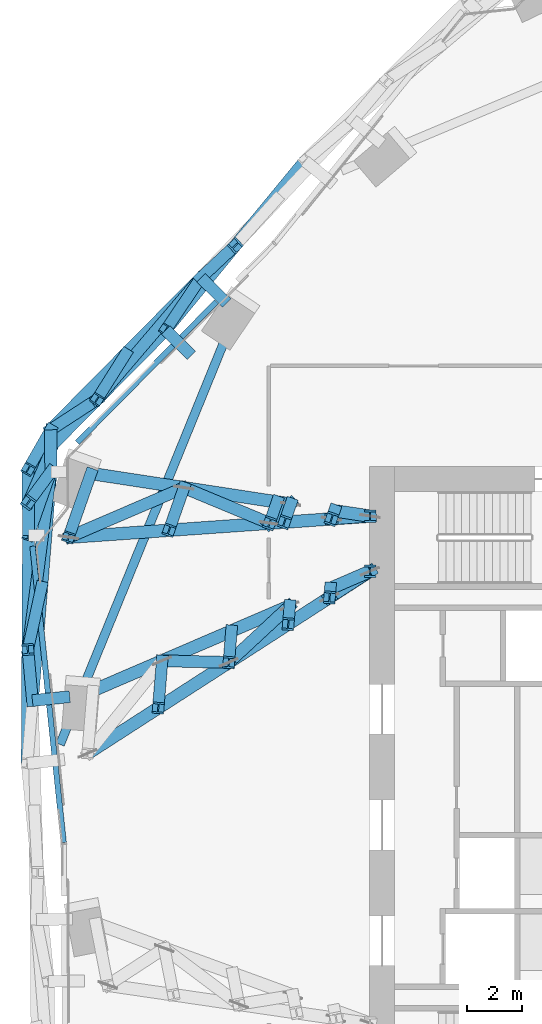
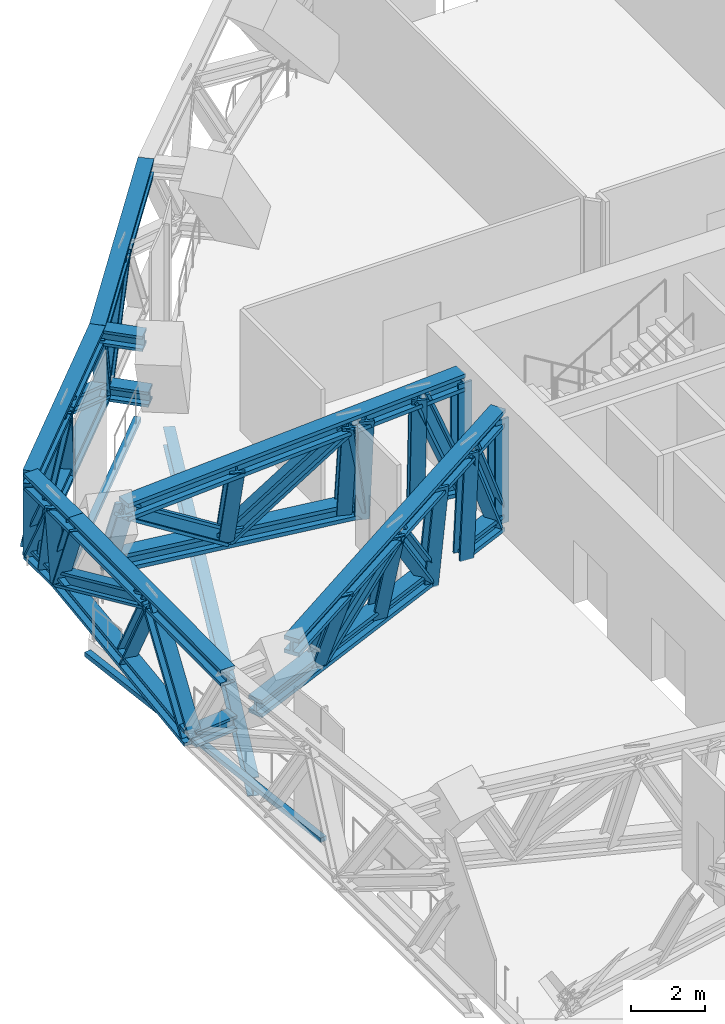
# One storey, part 9 of 27: 49 members, 1 beam, 2 elements without a shape of their own.
"""IFC4 building model written with IfcOpenShell, lengths in metres."""

from ifc_helpers import new_model, si_unit, direction, frame, origin, origin_2d, place, context, subcontext, project, spatial, rectangle, i_section, extrude, material, material_profile, profile_set, type_object, element, aggregate, save


model = new_model("IFC4")

# Units and contexts
model_context = context("Model", 3, precision=1e-05, world=origin(), true_north=direction((0.0, 1.0)))
body_context = subcontext(model_context, "Body", "Model", "MODEL_VIEW")
ifc_project = project(units=[si_unit("LENGTHUNIT", "METRE"), si_unit("AREAUNIT", "SQUARE_METRE"), si_unit("VOLUMEUNIT", "CUBIC_METRE"), si_unit("PLANEANGLEUNIT", "RADIAN"), si_unit("MASSUNIT", "GRAM", prefix="KILO")], contexts=[model_context])

# Site, building, storey
site_placement = place(None, origin())
site = spatial("IfcSite", under=ifc_project, at=site_placement, CompositionType="ELEMENT")
building_placement = place(site_placement, origin())
building = spatial("IfcBuilding", under=site, at=building_placement, Name="Orlundy Tower", CompositionType="ELEMENT")
storey_placement = place(building_placement, frame((0.0, 0.0, 206.10009765625)))
storey = spatial("IfcBuildingStorey", under=building, at=storey_placement, Name="L54", CompositionType="ELEMENT", Elevation=206.10009765625)

# Members
ifc_material_1 = material(Name="Steel ASTM A992 Gr 50", Category="steel")
ifc_material_profile_1 = material_profile(ifc_material_1, i_section(OverallWidth=0.4423828125, OverallDepth=0.531494140625, WebThickness=0.06591796875, FlangeThickness=0.105712890625, at=origin_2d()), Name="W14X605")
ifc_profile_set_1 = profile_set([ifc_material_profile_1], Name="Steel ASTM A992 Gr 50")
member_type_1 = type_object("IfcMemberType", Name="BELT TRUSS chord W14X605", PredefinedType="CHORD", material=ifc_profile_set_1)
member_1_placement = place(storey_placement, frame((-21.34130859375, 23.083251953125, 3.715087890625), z_axis=(-0.635889356959, -0.771780231482, 0.0), x_axis=(0.771780231482, -0.635889356959, 0.0)))
element("IfcMember", 1, at=member_1_placement, inside=storey, type_object=member_type_1, Name="Belt truss top chord BT-21A", PredefinedType="CHORD", context=body_context, shape_type="SweptSolid", body=[
    extrude(i_section(OverallWidth=0.4423828125, OverallDepth=0.531494140625, WebThickness=0.06591796875, FlangeThickness=0.105712890625, at=origin_2d()), origin(), (0.0, 0.0, 1.0), 7.94091796875),
])
member_2_placement = place(storey_placement, frame((-25.1123046875, 18.852294921875, 0.28466796875), z_axis=(-0.702971851644, -0.711217671179, 0.0), x_axis=(0.711217671179, -0.702971851644, 0.0)))
element("IfcMember", 2, at=member_2_placement, inside=storey, type_object=member_type_1, Name="Belt truss bottom chord BT-22A", PredefinedType="CHORD", context=body_context, shape_type="SweptSolid", body=[
    extrude(i_section(OverallWidth=0.4423828125, OverallDepth=0.531494140625, WebThickness=0.06591796875, FlangeThickness=0.105712890625, at=origin_2d()), origin(), (0.0, 0.0, 1.0), 7.75732421875),
])
member_3_placement = place(storey_placement, frame((-26.390869140625, 16.95458984375, 3.715087890625), z_axis=(-0.702969339922, -0.711220153771, 0.0), x_axis=(0.711220153771, -0.702969339922, 0.0)))
element("IfcMember", 3, at=member_3_placement, inside=storey, type_object=member_type_1, Name="Belt truss top chord BT-22A", PredefinedType="CHORD", context=body_context, shape_type="SweptSolid", body=[
    extrude(i_section(OverallWidth=0.4423828125, OverallDepth=0.531494140625, WebThickness=0.06591796875, FlangeThickness=0.105712890625, at=origin_2d()), origin(), (0.0, 0.0, 1.0), 7.1015625),
])
member_4_placement = place(storey_placement, frame((-30.5654296875, 13.335205078125, 0.28466796875), z_axis=(0.005918002571, -0.999982488469, 0.0), x_axis=(0.999982488469, 0.005918002571, 0.0)))
element("IfcMember", 4, at=member_4_placement, inside=storey, type_object=member_type_1, Name="Belt truss bottom chord BT-22B", PredefinedType="CHORD", context=body_context, shape_type="SweptSolid", body=[
    extrude(i_section(OverallWidth=0.4423828125, OverallDepth=0.531494140625, WebThickness=0.06591796875, FlangeThickness=0.105712890625, at=origin_2d()), origin(), (0.0, 0.0, 1.0), 1.5263671875),
])
member_5_placement = place(storey_placement, frame((-31.383056640625, 11.90380859375, 3.715087890625), z_axis=(0.005876291651, -0.999982734449, 0.0), x_axis=(0.999982734449, 0.005876291651, 0.0)))
element("IfcMember", 5, at=member_5_placement, inside=storey, type_object=member_type_1, Name="Belt truss top chord BT-22B", PredefinedType="CHORD", context=body_context, shape_type="SweptSolid", body=[
    extrude(i_section(OverallWidth=0.4423828125, OverallDepth=0.531494140625, WebThickness=0.06591796875, FlangeThickness=0.105712890625, at=origin_2d()), origin(), (0.0, 0.0, 1.0), 2.40966796875),
])
member_6_placement = place(storey_placement, frame((-30.556396484375, 11.808837890625, 0.28466796875), z_axis=(-0.080472541204, -0.996756825967, 0.0), x_axis=(0.996756825967, -0.080472541204, 0.0)))
element("IfcMember", 6, at=member_6_placement, inside=storey, type_object=member_type_1, Name="Belt truss bottom chord BT-23A", PredefinedType="CHORD", context=body_context, shape_type="SweptSolid", body=[
    extrude(i_section(OverallWidth=0.4423828125, OverallDepth=0.531494140625, WebThickness=0.06591796875, FlangeThickness=0.105712890625, at=origin_2d()), origin(), (0.0, 0.0, 1.0), 8.324951171875),
])
member_7_placement = place(storey_placement, frame((-31.368896484375, 9.494140625, 3.715087890625), z_axis=(-0.005406923474, -0.999985382482, 0.0), x_axis=(0.999985382482, -0.005406923474, 0.0)))
element("IfcMember", 7, at=member_7_placement, inside=storey, type_object=member_type_1, Name="Belt truss top chord BT-23A", PredefinedType="CHORD", context=body_context, shape_type="SweptSolid", body=[
    extrude(i_section(OverallWidth=0.4423828125, OverallDepth=0.531494140625, WebThickness=0.06591796875, FlangeThickness=0.105712890625, at=origin_2d()), origin(), (0.0, 0.0, 1.0), 8.262939453125),
])
ifc_material_2 = material(Name="Steel ASTM A992 Gr 50", Category="steel")
ifc_material_profile_2 = material_profile(ifc_material_2, i_section(OverallWidth=0.42431640625, OverallDepth=0.47412109375, WebThickness=0.0478515625, FlangeThickness=0.0771484375, at=origin_2d()), Name="W14X426")
ifc_profile_set_2 = profile_set([ifc_material_profile_2], Name="Steel ASTM A992 Gr 50")
member_type_2 = type_object("IfcMemberType", Name="BELT TRUSS diagonal W14X426", PredefinedType="BRACE", material=ifc_profile_set_2)
member_8_placement = place(storey_placement, frame((-23.8662109375, 20.018798828125, 3.715087890625), z_axis=(-0.325213844628, -0.304441957217, -0.895293834419), x_axis=(0.68340806954, -0.73003658161, 0.0)))
element("IfcMember", 8, at=member_8_placement, inside=storey, type_object=member_type_2, Name="Belt truss diagonal BT-21A-1", PredefinedType="BRACE", context=body_context, shape_type="SweptSolid", body=[
    extrude(i_section(OverallWidth=0.42431640625, OverallDepth=0.47412109375, WebThickness=0.0478515625, FlangeThickness=0.0771484375, at=origin_2d()), origin(), (0.0, 0.0, 1.0), 3.83154296875),
])
member_9_placement = place(storey_placement, frame((-25.1123046875, 18.852294921875, 0.28466796875), z_axis=(-0.559103708229, -0.655150500096, 0.508115012245), x_axis=(0.76066259599, -0.649147452481, 0.0)))
element("IfcMember", 9, at=member_9_placement, inside=storey, type_object=member_type_2, Name="Belt truss diagonal BT-22A-0", PredefinedType="BRACE", context=body_context, shape_type="SweptSolid", body=[
    extrude(i_section(OverallWidth=0.42431640625, OverallDepth=0.47412109375, WebThickness=0.0478515625, FlangeThickness=0.0771484375, at=origin_2d()), origin(), (0.0, 0.0, 1.0), 6.751220703125),
])
member_10_placement = place(storey_placement, frame((-28.886962890625, 14.42919921875, 3.715087890625), z_axis=(-0.422506828874, -0.275382269118, -0.863511774911), x_axis=(0.546037299876, -0.83776086513, 0.0)))
element("IfcMember", 10, at=member_10_placement, inside=storey, type_object=member_type_2, Name="Belt truss diagonal BT-22A-1", PredefinedType="BRACE", context=body_context, shape_type="SweptSolid", body=[
    extrude(i_section(OverallWidth=0.42431640625, OverallDepth=0.47412109375, WebThickness=0.0478515625, FlangeThickness=0.0771484375, at=origin_2d()), origin(), (0.0, 0.0, 1.0), 3.97265625),
])
member_11_placement = place(storey_placement, frame((-30.5654296875, 13.335205078125, 0.28466796875), z_axis=(-0.184146355827, -0.598919382596, 0.779349531845), x_axis=(0.955840234347, -0.293886791816, 0.0)))
element("IfcMember", 11, at=member_11_placement, inside=storey, type_object=member_type_2, Name="Belt truss diagonal BT-22B-0", PredefinedType="BRACE", context=body_context, shape_type="SweptSolid", body=[
    extrude(i_section(OverallWidth=0.42431640625, OverallDepth=0.47412109375, WebThickness=0.0478515625, FlangeThickness=0.0771484375, at=origin_2d()), origin(), (0.0, 0.0, 1.0), 4.401611328125),
])
member_12_placement = place(storey_placement, frame((-31.3759765625, 10.698974609375, 3.715087890625), z_axis=(0.221659660478, 0.300168250382, -0.927774765975), x_axis=(-0.804437169763, 0.594037742828, 0.0)))
element("IfcMember", 12, at=member_12_placement, inside=storey, type_object=member_type_2, Name="Belt truss diagonal BT-22B-1", PredefinedType="BRACE", context=body_context, shape_type="SweptSolid", body=[
    extrude(i_section(OverallWidth=0.42431640625, OverallDepth=0.47412109375, WebThickness=0.0478515625, FlangeThickness=0.0771484375, at=origin_2d()), origin(), (0.0, 0.0, 1.0), 3.697509765625),
])
member_13_placement = place(storey_placement, frame((-30.556396484375, 11.808837890625, 0.28466796875), z_axis=(-0.113570405551, -0.877073117338, 0.466738159813), x_axis=(0.991720409042, -0.128415849058, 0.0)))
element("IfcMember", 13, at=member_13_placement, inside=storey, type_object=member_type_2, Name="Belt truss diagonal BT-23A-0", PredefinedType="BRACE", context=body_context, shape_type="SweptSolid", body=[
    extrude(i_section(OverallWidth=0.42431640625, OverallDepth=0.47412109375, WebThickness=0.0478515625, FlangeThickness=0.0771484375, at=origin_2d()), origin(), (0.0, 0.0, 1.0), 7.349853515625),
])
member_14_placement = place(storey_placement, frame((-31.39111328125, 5.362548828125, 3.715087890625), z_axis=(0.042236754171, -0.474553397973, -0.879212789414), x_axis=(0.996062595766, 0.08865272312, 0.0)))
element("IfcMember", 14, at=member_14_placement, inside=storey, type_object=member_type_2, Name="Belt truss diagonal BT-23A-1", PredefinedType="BRACE", context=body_context, shape_type="SweptSolid", body=[
    extrude(i_section(OverallWidth=0.42431640625, OverallDepth=0.47412109375, WebThickness=0.0478515625, FlangeThickness=0.0771484375, at=origin_2d()), origin(), (0.0, 0.0, 1.0), 3.901611328125),
])
ifc_material_3 = material(Name="Steel ASTM A992 Gr 50", Category="steel")
ifc_material_profile_3 = material_profile(ifc_material_3, i_section(OverallWidth=0.412109375, OverallDepth=0.434814453125, WebThickness=0.035888671875, FlangeThickness=0.057373046875, at=origin_2d()), Name="W14X311")
ifc_profile_set_3 = profile_set([ifc_material_profile_3], Name="Steel ASTM A992 Gr 50")
member_type_3 = type_object("IfcMemberType", Name="BELT TRUSS post W14X311", PredefinedType="POST", material=ifc_profile_set_3)
member_15_placement = place(storey_placement, frame((-25.1123046875, 18.852294921875, 0.28466796875), z_axis=(-0.310062845352, -0.460209756906, 0.831906251678), x_axis=(0.829331991672, -0.55875616112, 0.0)))
element("IfcMember", 15, at=member_15_placement, inside=storey, type_object=member_type_3, Name="Belt truss post BT-21A-2", PredefinedType="POST", context=body_context, shape_type="SweptSolid", body=[
    extrude(i_section(OverallWidth=0.412109375, OverallDepth=0.434814453125, WebThickness=0.035888671875, FlangeThickness=0.057373046875, at=origin_2d()), origin(), (0.0, 0.0, 1.0), 4.12353515625),
])
member_16_placement = place(storey_placement, frame((-27.8388671875, 16.09375, 0.28466796875), z_axis=(-0.265047686413, -0.420939931508, 0.867501756764), x_axis=(0.846222476614, -0.532829728968, 0.0)))
element("IfcMember", 16, at=member_16_placement, inside=storey, type_object=member_type_3, Name="Belt truss post BT-22A-1", PredefinedType="POST", context=body_context, shape_type="SweptSolid", body=[
    extrude(i_section(OverallWidth=0.412109375, OverallDepth=0.434814453125, WebThickness=0.035888671875, FlangeThickness=0.057373046875, at=origin_2d()), origin(), (0.0, 0.0, 1.0), 3.954345703125),
])
member_17_placement = place(storey_placement, frame((-30.5654296875, 13.335205078125, 0.28466796875), z_axis=(-0.214829092046, -0.37609524236, 0.901332807505), x_axis=(0.868325156277, -0.495995386043, 0.0)))
element("IfcMember", 17, at=member_17_placement, inside=storey, type_object=member_type_3, Name="Belt truss post BT-22A-2", PredefinedType="POST", context=body_context, shape_type="SweptSolid", body=[
    extrude(i_section(OverallWidth=0.412109375, OverallDepth=0.434814453125, WebThickness=0.035888671875, FlangeThickness=0.057373046875, at=origin_2d()), origin(), (0.0, 0.0, 1.0), 3.805908203125),
])
member_18_placement = place(storey_placement, frame((-30.560791015625, 12.572021484375, 0.28466796875), z_axis=(-0.204175657659, -0.469133167283, 0.859201008015), x_axis=(0.916923687659, -0.399062590341, 0.0)))
element("IfcMember", 18, at=member_18_placement, inside=storey, type_object=member_type_3, Name="Belt truss post BT-22B-1", PredefinedType="POST", context=body_context, shape_type="SweptSolid", body=[
    extrude(i_section(OverallWidth=0.412109375, OverallDepth=0.434814453125, WebThickness=0.035888671875, FlangeThickness=0.057373046875, at=origin_2d()), origin(), (0.0, 0.0, 1.0), 3.99267578125),
])
member_19_placement = place(storey_placement, frame((-30.556396484375, 11.808837890625, 0.28466796875), z_axis=(-0.192658045212, -0.548855446711, 0.813412918652), x_axis=(0.94355851902, -0.331205859224, 0.0)))
element("IfcMember", 19, at=member_19_placement, inside=storey, type_object=member_type_3, Name="Belt truss post BT-22B-2", PredefinedType="POST", context=body_context, shape_type="SweptSolid", body=[
    extrude(i_section(OverallWidth=0.412109375, OverallDepth=0.434814453125, WebThickness=0.035888671875, FlangeThickness=0.057373046875, at=origin_2d()), origin(), (0.0, 0.0, 1.0), 4.21728515625),
])
member_20_placement = place(storey_placement, frame((-30.891357421875, 7.659912109375, 0.28466796875), z_axis=(-0.120168987919, -0.552413373873, 0.824862945409), x_axis=(0.977147301693, -0.212563286564, 0.0)))
element("IfcMember", 20, at=member_20_placement, inside=storey, type_object=member_type_3, Name="Belt truss post BT-23A-1", PredefinedType="POST", context=body_context, shape_type="SweptSolid", body=[
    extrude(i_section(OverallWidth=0.412109375, OverallDepth=0.434814453125, WebThickness=0.035888671875, FlangeThickness=0.057373046875, at=origin_2d()), origin(), (0.0, 0.0, 1.0), 4.15869140625),
])
ifc_material_4 = material(Name="Steel ASTM A992 Gr 50", Category="steel")
ifc_material_profile_4 = material_profile(ifc_material_4, i_section(OverallWidth=0.43212890625, OverallDepth=0.497802734375, WebThickness=0.0556640625, FlangeThickness=0.0888671875, at=origin_2d()), Name="W14X500")
ifc_profile_set_4 = profile_set([ifc_material_profile_4], Name="Steel ASTM A992 Gr 50")
member_type_4 = type_object("IfcMemberType", Name="BELT TRUSS strut W14X500", PredefinedType="STRUT", material=ifc_profile_set_4)
for number, where, z_axis, x_axis, name in (
    (21, (-24.180419921875, 17.930908203125, 0.28466796875), (-0.71110085154, 0.703090021931, 0.0), (-0.703090021931, -0.71110085154, 0.0), "Belt truss bracket C-H20"),
    (22, (-25.458984375, 16.033203125, 3.715087890625), (-0.71110085154, 0.703090021931, 0.0), (-0.703090021931, -0.71110085154, 0.0), "Belt truss bracket C-H20"),
):
    element("IfcMember", number, at=place(storey_placement, frame(where, z_axis=z_axis, x_axis=x_axis)), inside=storey, type_object=member_type_4, Name=name, PredefinedType="STRUT", context=body_context, shape_type="SweptSolid", body=[
        extrude(i_section(OverallWidth=0.43212890625, OverallDepth=0.497802734375, WebThickness=0.0556640625, FlangeThickness=0.0888671875, at=origin_2d()), origin(), (0.0, 0.0, 1.0), 1.310546875),
    ])
member_21_placement = place(storey_placement, frame((-29.87353515625, 3.653076171875, 0.28466796875), z_axis=(-0.994529031212, -0.104460547945, 0.0), x_axis=(0.104460547945, -0.994529031212, 0.0)))
element("IfcMember", 23, at=member_21_placement, inside=storey, type_object=member_type_4, Name="Belt truss bracket C-H18", PredefinedType="STRUT", context=body_context, shape_type="SweptSolid", body=[
    extrude(i_section(OverallWidth=0.43212890625, OverallDepth=0.497802734375, WebThickness=0.0556640625, FlangeThickness=0.0888671875, at=origin_2d()), origin(), (0.0, 0.0, 1.0), 1.360107421875),
])

# Beam
ifc_material_5 = material(Name="Steel ASTM A992 Gr 50", Category="steel")
ifc_material_profile_5 = material_profile(ifc_material_5, i_section(OverallWidth=0.32373046875, OverallDepth=0.611083984375, WebThickness=0.0126953125, FlangeThickness=0.01904296875, at=origin_2d()), Name="W24X104")
ifc_profile_set_5 = profile_set([ifc_material_profile_5], Name="Steel ASTM A992 Gr 50")
beam_type = type_object("IfcBeamType", Name="CANTILEVER GIRDER beam W24X104", PredefinedType="BEAM", material=ifc_profile_set_5)
beam_placement = place(storey_placement, frame((-30.22509765625, 1.919189453125, -0.755615234375), z_axis=(0.377292228943, 0.92609425761, 0.0), x_axis=(-0.92609425761, 0.377292228943, 0.0)))
element("IfcBeam", 24, at=beam_placement, inside=storey, type_object=beam_type, Name="Cantilever girder C-H18 L54", PredefinedType="BEAM", context=body_context, shape_type="SweptSolid", body=[
    extrude(i_section(OverallWidth=0.32373046875, OverallDepth=0.611083984375, WebThickness=0.0126953125, FlangeThickness=0.01904296875, at=origin_2d()), origin(), (0.0, 0.0, 1.0), 16.647705078125),
])

# Curtain wall, member
ifc_material_6 = material(Name="Aluminium bronze anodised", Category="aluminium")
curtain_wall_type = type_object("IfcCurtainWallType", Name="CW4 wall", PredefinedType="NOTDEFINED", material=ifc_material_6)
curtain_wall_1_placement = place(storey_placement, origin())
curtain_wall_1 = element("IfcCurtainWall", 25, at=curtain_wall_1_placement, inside=storey, type_object=curtain_wall_type, Name="CW4 run 04", PredefinedType="NOTDEFINED")
ifc_material_7 = material(Name="Aluminium bronze anodised", Category="aluminium")
ifc_material_profile_6 = material_profile(ifc_material_7, rectangle(XDim=0.199951171875, YDim=0.14990234375, at=origin_2d()), Name="CW4 transom 200x150")
ifc_profile_set_6 = profile_set([ifc_material_profile_6], Name="Aluminium bronze anodised")
member_type_5 = type_object("IfcMemberType", Name="CW4 transom 200x150", PredefinedType="USERDEFINED", material=ifc_profile_set_6)
member_22_placement = place(storey_placement, frame((-30.093994140625, -1.638671875, -0.375), z_axis=(-0.104544881685, 0.994520169586, 0.0), x_axis=(-0.994520169586, -0.104544881685, 0.0)))
member_22 = element("IfcMember", 26, at=member_22_placement, type_object=member_type_5, Name="CW4 transom", ObjectType="TRANSOM", PredefinedType="USERDEFINED", context=body_context, shape_type="SweptSolid", body=[
    extrude(rectangle(XDim=0.199951171875, YDim=0.14990234375, at=origin_2d()), origin(), (0.0, 0.0, 1.0), 10.81005859375),
])
aggregate(curtain_wall_1, [member_22])

curtain_wall_2_placement = place(storey_placement, origin())
curtain_wall_2 = element("IfcCurtainWall", 27, at=curtain_wall_2_placement, inside=storey, type_object=curtain_wall_type, Name="CW4 run 07", PredefinedType="NOTDEFINED")
member_23_placement = place(storey_placement, frame((-29.601318359375, 12.870361328125, -0.375), z_axis=(0.702966029779, 0.711223425498, 0.0), x_axis=(-0.711223425498, 0.702966029779, 0.0)))
member_23 = element("IfcMember", 28, at=member_23_placement, type_object=member_type_5, Name="CW4 transom", ObjectType="TRANSOM", PredefinedType="USERDEFINED", context=body_context, shape_type="SweptSolid", body=[
    extrude(rectangle(XDim=0.199951171875, YDim=0.14990234375, at=origin_2d()), origin(), (0.0, 0.0, 1.0), 7.1845703125),
])
aggregate(curtain_wall_2, [member_23])

# Members
ifc_material_8 = material(Name="Steel ASTM A992 Gr 50", Category="steel")
ifc_material_profile_7 = material_profile(ifc_material_8, i_section(OverallWidth=0.454345703125, OverallDepth=0.569580078125, WebThickness=0.077880859375, FlangeThickness=0.124755859375, at=origin_2d()), Name="W14X730")
ifc_profile_set_7 = profile_set([ifc_material_profile_7], Name="Steel ASTM A992 Gr 50")
member_type_6 = type_object("IfcMemberType", Name="OUTRIGGER TRUSS chord W14X730", PredefinedType="CHORD", material=ifc_profile_set_7)
member_24_placement = place(storey_placement, frame((-18.97998046875, 8.199951171875, 0.28466796875), z_axis=(-0.918556850679, -0.395288896974, 0.0), x_axis=(0.395288896974, -0.918556850679, 0.0)))
element("IfcMember", 29, at=member_24_placement, inside=storey, type_object=member_type_6, Name="Outrigger truss bottom chord OR-W-C-H18", PredefinedType="CHORD", context=body_context, shape_type="SweptSolid", body=[
    extrude(i_section(OverallWidth=0.454345703125, OverallDepth=0.569580078125, WebThickness=0.077880859375, FlangeThickness=0.124755859375, at=origin_2d()), origin(), (0.0, 0.0, 1.0), 1.570068359375),
])
member_25_placement = place(storey_placement, frame((-21.891845703125, 6.94677734375, 0.28466796875), z_axis=(-0.918531879867, -0.395346918121, 0.0), x_axis=(0.395346918121, -0.918531879867, 0.0)))
element("IfcMember", 30, at=member_25_placement, inside=storey, type_object=member_type_6, Name="Outrigger truss bottom chord OR-W-C-H182", PredefinedType="CHORD", context=body_context, shape_type="SweptSolid", body=[
    extrude(i_section(OverallWidth=0.454345703125, OverallDepth=0.569580078125, WebThickness=0.077880859375, FlangeThickness=0.124755859375, at=origin_2d()), origin(), (0.0, 0.0, 1.0), 7.778564453125),
])
member_26_placement = place(storey_placement, frame((-18.97998046875, 8.199951171875, 3.715087890625), z_axis=(-0.840336083063, -0.542065740942, 0.0), x_axis=(0.542065740942, -0.840336083063, 0.0)))
element("IfcMember", 31, at=member_26_placement, inside=storey, type_object=member_type_6, Name="Outrigger truss top chord OR-W-C-H18", PredefinedType="CHORD", context=body_context, shape_type="SweptSolid", body=[
    extrude(i_section(OverallWidth=0.454345703125, OverallDepth=0.569580078125, WebThickness=0.077880859375, FlangeThickness=0.124755859375, at=origin_2d()), origin(), (0.0, 0.0, 1.0), 12.190185546875),
])
member_27_placement = place(storey_placement, frame((-18.97998046875, 10.199951171875, 0.28466796875), z_axis=(-0.988494276267, 0.151258275104, 0.0), x_axis=(-0.151258275104, -0.988494276267, 0.0)))
element("IfcMember", 32, at=member_27_placement, inside=storey, type_object=member_type_6, Name="Outrigger truss bottom chord OR-W-C-H19", PredefinedType="CHORD", context=body_context, shape_type="SweptSolid", body=[
    extrude(i_section(OverallWidth=0.454345703125, OverallDepth=0.569580078125, WebThickness=0.077880859375, FlangeThickness=0.124755859375, at=origin_2d()), origin(), (0.0, 0.0, 1.0), 1.30908203125),
])
member_28_placement = place(storey_placement, frame((-21.855712890625, 10.639892578125, 0.28466796875), z_axis=(-0.988502185485, 0.151206578199, 0.0), x_axis=(-0.151206578199, -0.988502185485, 0.0)))
element("IfcMember", 33, at=member_28_placement, inside=storey, type_object=member_type_6, Name="Outrigger truss bottom chord OR-W-C-H192", PredefinedType="CHORD", context=body_context, shape_type="SweptSolid", body=[
    extrude(i_section(OverallWidth=0.454345703125, OverallDepth=0.569580078125, WebThickness=0.077880859375, FlangeThickness=0.124755859375, at=origin_2d()), origin(), (0.0, 0.0, 1.0), 7.33349609375),
])
member_29_placement = place(storey_placement, frame((-18.97998046875, 10.199951171875, 3.715087890625), z_axis=(-0.997555863996, -0.069873444224, 0.0), x_axis=(0.069873444224, -0.997555863996, 0.0)))
element("IfcMember", 34, at=member_29_placement, inside=storey, type_object=member_type_6, Name="Outrigger truss top chord OR-W-C-H19", PredefinedType="CHORD", context=body_context, shape_type="SweptSolid", body=[
    extrude(i_section(OverallWidth=0.454345703125, OverallDepth=0.569580078125, WebThickness=0.077880859375, FlangeThickness=0.124755859375, at=origin_2d()), origin(), (0.0, 0.0, 1.0), 10.96435546875),
])
ifc_material_9 = material(Name="Steel ASTM A992 Gr 50", Category="steel")
ifc_material_profile_8 = material_profile(ifc_material_9, i_section(OverallWidth=0.43212890625, OverallDepth=0.497802734375, WebThickness=0.0556640625, FlangeThickness=0.0888671875, at=origin_2d()), Name="W14X500")
ifc_profile_set_8 = profile_set([ifc_material_profile_8], Name="Steel ASTM A992 Gr 50")
member_type_7 = type_object("IfcMemberType", Name="OUTRIGGER TRUSS diagonal W14X500", PredefinedType="BRACE", material=ifc_profile_set_8)
member_30_placement = place(storey_placement, frame((-18.97998046875, 8.199951171875, 0.28466796875), z_axis=(-0.381544057384, -0.246098136398, 0.890988125362), x_axis=(0.54203461261, -0.840356161834, 0.0)))
element("IfcMember", 35, at=member_30_placement, inside=storey, type_object=member_type_7, Name="Outrigger truss diagonal OR-W-C-H18-0", PredefinedType="BRACE", context=body_context, shape_type="SweptSolid", body=[
    extrude(i_section(OverallWidth=0.43212890625, OverallDepth=0.497802734375, WebThickness=0.0556640625, FlangeThickness=0.0888671875, at=origin_2d()), origin(), (0.0, 0.0, 1.0), 3.85009765625),
])
member_31_placement = place(storey_placement, frame((-21.891845703125, 6.94677734375, 0.28466796875), z_axis=(-0.483898625131, -0.449044238964, 0.751133404962), x_axis=(0.680215007713, -0.733012648787, 0.0)))
element("IfcMember", 36, at=member_31_placement, inside=storey, type_object=member_type_7, Name="Outrigger truss diagonal OR-W-C-H18-2", PredefinedType="BRACE", context=body_context, shape_type="SweptSolid", body=[
    extrude(i_section(OverallWidth=0.43212890625, OverallDepth=0.497802734375, WebThickness=0.0556640625, FlangeThickness=0.0888671875, at=origin_2d()), origin(), (0.0, 0.0, 1.0), 4.56689453125),
])
member_32_placement = place(storey_placement, frame((-24.101806640625, 4.89599609375, 3.715087890625), z_axis=(-0.576498314691, 0.013780141259, -0.816982130077), x_axis=(-0.023896351247, -0.999714441427, 0.0)))
element("IfcMember", 37, at=member_32_placement, inside=storey, type_object=member_type_7, Name="Outrigger truss diagonal OR-W-C-H18-3", PredefinedType="BRACE", context=body_context, shape_type="SweptSolid", body=[
    extrude(i_section(OverallWidth=0.43212890625, OverallDepth=0.497802734375, WebThickness=0.0556640625, FlangeThickness=0.0888671875, at=origin_2d()), origin(), (0.0, 0.0, 1.0), 4.198974609375),
])
member_33_placement = place(storey_placement, frame((-18.97998046875, 10.199951171875, 0.28466796875), z_axis=(-0.37719448325, -0.026420085202, 0.925757150069), x_axis=(0.069872476618, -0.997555931771, 0.0)))
element("IfcMember", 38, at=member_33_placement, inside=storey, type_object=member_type_7, Name="Outrigger truss diagonal OR-W-C-H19-0", PredefinedType="BRACE", context=body_context, shape_type="SweptSolid", body=[
    extrude(i_section(OverallWidth=0.43212890625, OverallDepth=0.497802734375, WebThickness=0.0556640625, FlangeThickness=0.0888671875, at=origin_2d()), origin(), (0.0, 0.0, 1.0), 3.70556640625),
])
member_34_placement = place(storey_placement, frame((-21.855712890625, 10.639892578125, 0.28466796875), z_axis=(-0.21485660639, -0.19401129201, 0.957181412932), x_axis=(0.670185921379, -0.742193257033, 0.0)))
element("IfcMember", 39, at=member_34_placement, inside=storey, type_object=member_type_7, Name="Outrigger truss diagonal OR-W-C-H19-2", PredefinedType="BRACE", context=body_context, shape_type="SweptSolid", body=[
    extrude(i_section(OverallWidth=0.43212890625, OverallDepth=0.497802734375, WebThickness=0.0556640625, FlangeThickness=0.0888671875, at=origin_2d()), origin(), (0.0, 0.0, 1.0), 3.583984375),
])
member_35_placement = place(storey_placement, frame((-22.625732421875, 9.944580078125, 3.715087890625), z_axis=(-0.646400365526, 0.268168456795, -0.714319428707), x_axis=(-0.383196440625, -0.923666870626, 0.0)))
element("IfcMember", 40, at=member_35_placement, inside=storey, type_object=member_type_7, Name="Outrigger truss diagonal OR-W-C-H19-3", PredefinedType="BRACE", context=body_context, shape_type="SweptSolid", body=[
    extrude(i_section(OverallWidth=0.43212890625, OverallDepth=0.497802734375, WebThickness=0.0556640625, FlangeThickness=0.0888671875, at=origin_2d()), origin(), (0.0, 0.0, 1.0), 4.80224609375),
])
member_36_placement = place(storey_placement, frame((-25.72998046875, 11.232421875, 0.28466796875), z_axis=(-0.734108834966, -0.315308989459, 0.6013854501), x_axis=(0.394649757307, -0.918831632595, 0.0)))
element("IfcMember", 41, at=member_36_placement, inside=storey, type_object=member_type_7, Name="Outrigger truss diagonal OR-W-C-H19-4", PredefinedType="BRACE", context=body_context, shape_type="SweptSolid", body=[
    extrude(i_section(OverallWidth=0.43212890625, OverallDepth=0.497802734375, WebThickness=0.0556640625, FlangeThickness=0.0888671875, at=origin_2d()), origin(), (0.0, 0.0, 1.0), 5.7041015625),
])
ifc_material_10 = material(Name="Steel ASTM A992 Gr 50", Category="steel")
ifc_material_profile_9 = material_profile(ifc_material_10, i_section(OverallWidth=0.41845703125, OverallDepth=0.455078125, WebThickness=0.0419921875, FlangeThickness=0.067626953125, at=origin_2d()), Name="W14X370")
ifc_profile_set_9 = profile_set([ifc_material_profile_9], Name="Steel ASTM A992 Gr 50")
member_type_8 = type_object("IfcMemberType", Name="OUTRIGGER TRUSS post W14X370", PredefinedType="POST", material=ifc_profile_set_9)
member_37_placement = place(storey_placement, frame((-18.97998046875, 8.199951171875, 0.28466796875), z_axis=(0.0, 0.0, 1.0), x_axis=(1.0, 0.0, 0.0)))
element("IfcMember", 42, at=member_37_placement, inside=storey, type_object=member_type_8, Name="Outrigger truss post OR-W-C-H18-0", PredefinedType="POST", context=body_context, shape_type="SweptSolid", body=[
    extrude(i_section(OverallWidth=0.41845703125, OverallDepth=0.455078125, WebThickness=0.0419921875, FlangeThickness=0.067626953125, at=origin_2d()), origin(), (0.0, 0.0, 1.0), 3.430419921875),
])
member_38_placement = place(storey_placement, frame((-20.422119140625, 7.579345703125, 0.0), z_axis=(-0.007200746363, -0.087652721632, 0.996125067269), x_axis=(0.996642602382, -0.081875045752, 0.0)))
element("IfcMember", 43, at=member_38_placement, inside=storey, type_object=member_type_8, Name="Outrigger truss post OR-W-C-H18-1", PredefinedType="POST", context=body_context, shape_type="SweptSolid", body=[
    extrude(i_section(OverallWidth=0.41845703125, OverallDepth=0.455078125, WebThickness=0.0419921875, FlangeThickness=0.067626953125, at=origin_2d()), origin(), (0.0, 0.0, 1.0), 3.7294921875),
])
member_39_placement = place(storey_placement, frame((-21.891845703125, 6.94677734375, 0.0), z_axis=(-0.014297768172, -0.174937398815, 0.984475738818), x_axis=(0.996676681068, -0.081459151818, 0.0)))
element("IfcMember", 44, at=member_39_placement, inside=storey, type_object=member_type_8, Name="Outrigger truss post OR-W-C-H18-2", PredefinedType="POST", context=body_context, shape_type="SweptSolid", body=[
    extrude(i_section(OverallWidth=0.41845703125, OverallDepth=0.455078125, WebThickness=0.0419921875, FlangeThickness=0.067626953125, at=origin_2d()), origin(), (0.0, 0.0, 1.0), 3.773681640625),
])
member_40_placement = place(storey_placement, frame((-24.00830078125, 6.035888671875, 0.28466796875), z_axis=(-0.025858502748, -0.315230677101, 0.948662720913), x_axis=(0.996652390719, -0.081755807592, 0.0)))
element("IfcMember", 45, at=member_40_placement, inside=storey, type_object=member_type_8, Name="Outrigger truss post OR-W-C-H18-3", PredefinedType="POST", context=body_context, shape_type="SweptSolid", body=[
    extrude(i_section(OverallWidth=0.41845703125, OverallDepth=0.455078125, WebThickness=0.0419921875, FlangeThickness=0.067626953125, at=origin_2d()), origin(), (0.0, 0.0, 1.0), 3.615966796875),
])
member_41_placement = place(storey_placement, frame((-26.5224609375, 4.953857421875, 0.28466796875), z_axis=(-0.036599916716, -0.445818811614, 0.894374660479), x_axis=(0.99664706684, -0.081820682957, 0.0)))
element("IfcMember", 46, at=member_41_placement, inside=storey, type_object=member_type_8, Name="Outrigger truss post OR-W-C-H18-4", PredefinedType="POST", context=body_context, shape_type="SweptSolid", body=[
    extrude(i_section(OverallWidth=0.41845703125, OverallDepth=0.455078125, WebThickness=0.0419921875, FlangeThickness=0.067626953125, at=origin_2d()), origin(), (0.0, 0.0, 1.0), 3.83544921875),
])
member_42_placement = place(storey_placement, frame((-18.97998046875, 10.199951171875, 0.28466796875), z_axis=(0.0, 0.0, 1.0), x_axis=(1.0, 0.0, 0.0)))
element("IfcMember", 47, at=member_42_placement, inside=storey, type_object=member_type_8, Name="Outrigger truss post OR-W-C-H19-0", PredefinedType="POST", context=body_context, shape_type="SweptSolid", body=[
    extrude(i_section(OverallWidth=0.41845703125, OverallDepth=0.455078125, WebThickness=0.0419921875, FlangeThickness=0.067626953125, at=origin_2d()), origin(), (0.0, 0.0, 1.0), 3.430419921875),
])
member_43_placement = place(storey_placement, frame((-20.27392578125, 10.39794921875, 0.0), z_axis=(-0.027830336496, -0.079365571372, 0.996457012847), x_axis=(0.943663976608, -0.330905272325, 0.0)))
element("IfcMember", 48, at=member_43_placement, inside=storey, type_object=member_type_8, Name="Outrigger truss post OR-W-C-H19-1", PredefinedType="POST", context=body_context, shape_type="SweptSolid", body=[
    extrude(i_section(OverallWidth=0.41845703125, OverallDepth=0.455078125, WebThickness=0.0419921875, FlangeThickness=0.067626953125, at=origin_2d()), origin(), (0.0, 0.0, 1.0), 3.728271484375),
])
member_44_placement = place(storey_placement, frame((-21.855712890625, 10.639892578125, 0.0), z_axis=(-0.060972997772, -0.173940977753, 0.982866638869), x_axis=(0.943699814246, -0.330803054084, 0.0)))
element("IfcMember", 49, at=member_44_placement, inside=storey, type_object=member_type_8, Name="Outrigger truss post OR-W-C-H19-2", PredefinedType="POST", context=body_context, shape_type="SweptSolid", body=[
    extrude(i_section(OverallWidth=0.41845703125, OverallDepth=0.455078125, WebThickness=0.0419921875, FlangeThickness=0.067626953125, at=origin_2d()), origin(), (0.0, 0.0, 1.0), 3.77978515625),
])
member_45_placement = place(storey_placement, frame((-22.35498046875, 10.71630859375, 0.28466796875), z_axis=(-0.076775004537, -0.218832993093, 0.972737230609), x_axis=(0.943611434664, -0.33105507151, 0.0)))
element("IfcMember", 50, at=member_45_placement, inside=storey, type_object=member_type_8, Name="Outrigger truss post OR-W-C-H19-3", PredefinedType="POST", context=body_context, shape_type="SweptSolid", body=[
    extrude(i_section(OverallWidth=0.41845703125, OverallDepth=0.455078125, WebThickness=0.0419921875, FlangeThickness=0.067626953125, at=origin_2d()), origin(), (0.0, 0.0, 1.0), 3.526611328125),
])
member_46_placement = place(storey_placement, frame((-25.72998046875, 11.232421875, 0.28466796875), z_axis=(-0.142488628108, -0.406073317525, 0.902663531807), x_axis=(0.943595072868, -0.331101704101, 0.0)))
element("IfcMember", 51, at=member_46_placement, inside=storey, type_object=member_type_8, Name="Outrigger truss post OR-W-C-H19-4", PredefinedType="POST", context=body_context, shape_type="SweptSolid", body=[
    extrude(i_section(OverallWidth=0.41845703125, OverallDepth=0.455078125, WebThickness=0.0419921875, FlangeThickness=0.067626953125, at=origin_2d()), origin(), (0.0, 0.0, 1.0), 3.80029296875),
])
member_47_placement = place(storey_placement, frame((-29.10498046875, 11.748779296875, 0.28466796875), z_axis=(-0.192651923806, -0.548895895893, 0.813387073739), x_axis=(0.943569434669, -0.331174760449, 0.0)))
element("IfcMember", 52, at=member_47_placement, inside=storey, type_object=member_type_8, Name="Outrigger truss post OR-W-C-H19-5", PredefinedType="POST", context=body_context, shape_type="SweptSolid", body=[
    extrude(i_section(OverallWidth=0.41845703125, OverallDepth=0.455078125, WebThickness=0.0419921875, FlangeThickness=0.067626953125, at=origin_2d()), origin(), (0.0, 0.0, 1.0), 4.217529296875),
])

save(model, "model.ifc")
